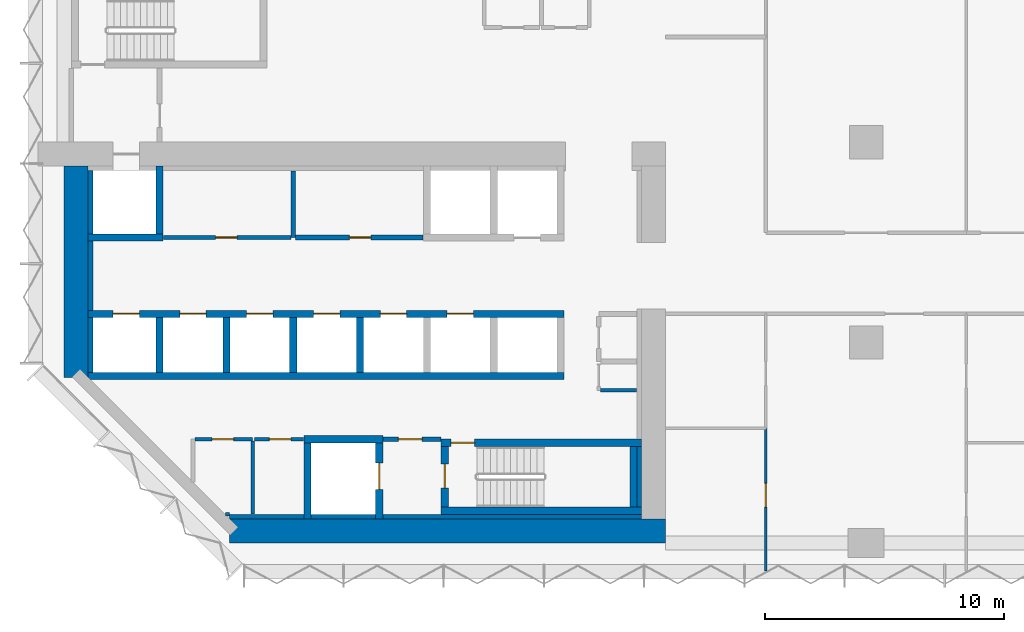
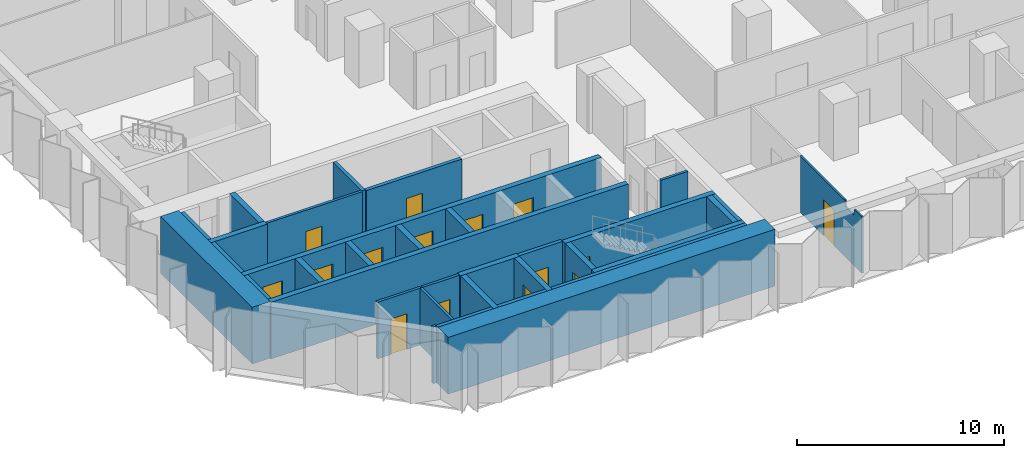
# One storey, part 7 of 15: 34 walls, 15 doors, 15 openings.
"""IFC4 building model written with IfcOpenShell, lengths in metres."""

from ifc_helpers import new_model, si_unit, direction, frame, frame_2d, origin, place, context, subcontext, project, spatial, polyline, rectangle, outline, extrude, material, layer, layer_set, type_object, element, fill, save


model = new_model("IFC4")

# Units and contexts
model_context = context("Model", 3, precision=1e-05, world=origin(), true_north=direction((0.0, 1.0)))
body_context = subcontext(model_context, "Body", "Model", "MODEL_VIEW")
ifc_project = project(units=[si_unit("LENGTHUNIT", "METRE"), si_unit("AREAUNIT", "SQUARE_METRE"), si_unit("VOLUMEUNIT", "CUBIC_METRE"), si_unit("PLANEANGLEUNIT", "RADIAN"), si_unit("MASSUNIT", "GRAM", prefix="KILO")], contexts=[model_context])

# Site, building, storey
site_placement = place(None, origin())
site = spatial("IfcSite", under=ifc_project, at=site_placement, CompositionType="ELEMENT")
building_placement = place(site_placement, origin())
building = spatial("IfcBuilding", under=site, at=building_placement, Name="Brevane Broadcast Tower", CompositionType="ELEMENT")
storey_placement = place(building_placement, frame((0.0, 0.0, 54.5)))
storey = spatial("IfcBuildingStorey", under=building, at=storey_placement, Name="L11", CompositionType="ELEMENT", Elevation=54.5)

# Walls
ifc_material_1 = material(Name="Concrete C32/40", Category="concrete")
ifc_layer_1 = layer(ifc_material_1, 0.199951171875)
ifc_layer_set_1 = layer_set([ifc_layer_1], Name="Core chase wall 200 mm")
wall_type_1 = type_object("IfcWallType", Name="Core chase wall 200 mm", PredefinedType="PARTITIONING", material=ifc_layer_set_1)
wall_1_placement = place(storey_placement, frame((1.10009765625, 7.14990234375, 0.0), z_axis=(0.0, 0.0, 1.0), x_axis=(0.0, 1.0, 0.0)))
element("IfcWall", 1, at=wall_1_placement, inside=storey, type_object=wall_type_1, Name="L11 chase wall LW-2-1", PredefinedType="PARTITIONING", context=body_context, shape_type="SweptSolid", body=[
    extrude(rectangle(XDim=2.300048828125, YDim=0.199951171875, at=frame_2d((1.14990234375, 0.0))), origin(), (0.0, 0.0, 1.0), 3.35009765625),
])
wall_2_placement = place(storey_placement, frame((1.10009765625, 9.75, 0.0), z_axis=(0.0, 0.0, 1.0), x_axis=(0.0, 1.0, 0.0)))
element("IfcWall", 2, at=wall_2_placement, inside=storey, type_object=wall_type_1, Name="L11 chase wall LW-2-2-1", PredefinedType="PARTITIONING", context=body_context, shape_type="SweptSolid", body=[
    extrude(rectangle(XDim=2.89990234375, YDim=0.199951171875, at=frame_2d((1.449951171875, 0.0))), origin(), (0.0, 0.0, 1.0), 3.35009765625),
])
wall_3_placement = place(storey_placement, frame((1.10009765625, 12.949951171875, 0.0), z_axis=(0.0, 0.0, 1.0), x_axis=(0.0, 1.0, 0.0)))
element("IfcWall", 3, at=wall_3_placement, inside=storey, type_object=wall_type_1, Name="L11 chase wall LW-2-2-2", PredefinedType="PARTITIONING", context=body_context, shape_type="SweptSolid", body=[
    extrude(rectangle(XDim=2.650146484375, YDim=0.199951171875, at=frame_2d((1.3251953125, 0.0))), origin(), (0.0, 0.0, 1.0), 3.35009765625),
])
wall_4_placement = place(storey_placement, frame((6.936279296875, 1.10009765625, 0.0), z_axis=(0.0, 0.0, 1.0), x_axis=(1.0, 0.0, 0.0)))
element("IfcWall", 4, at=wall_4_placement, inside=storey, type_object=wall_type_1, Name="L11 chase wall LS-1", PredefinedType="PARTITIONING", context=body_context, shape_type="SweptSolid", body=[
    extrude(rectangle(XDim=3.11376953125, YDim=0.199951171875, at=frame_2d((1.556884765625, 0.0))), origin(), (0.0, 0.0, 1.0), 3.35009765625),
])
wall_5_placement = place(storey_placement, frame((10.35009765625, 1.10009765625, 0.0), z_axis=(0.0, 0.0, 1.0), x_axis=(1.0, 0.0, 0.0)))
element("IfcWall", 5, at=wall_5_placement, inside=storey, type_object=wall_type_1, Name="L11 chase wall LS-2-1", PredefinedType="PARTITIONING", context=body_context, shape_type="SweptSolid", body=[
    extrude(rectangle(XDim=2.699951171875, YDim=0.199951171875, at=frame_2d((1.35009765625, 0.0))), origin(), (0.0, 0.0, 1.0), 3.35009765625),
])
wall_6_placement = place(storey_placement, frame((13.35009765625, 1.10009765625, 0.0), z_axis=(0.0, 0.0, 1.0), x_axis=(1.0, 0.0, 0.0)))
element("IfcWall", 6, at=wall_6_placement, inside=storey, type_object=wall_type_1, Name="L11 chase wall LS-2-2", PredefinedType="PARTITIONING", context=body_context, shape_type="SweptSolid", body=[
    extrude(rectangle(XDim=10.849853515625, YDim=0.199951171875, at=frame_2d((5.4248046875, 0.0))), origin(), (0.0, 0.0, 1.0), 3.35009765625),
])
wall_7_placement = place(storey_placement, frame((24.10009765625, 1.5, 0.0), z_axis=(0.0, 0.0, 1.0), x_axis=(0.0, 1.0, 0.0)))
element("IfcWall", 7, at=wall_7_placement, inside=storey, type_object=wall_type_1, Name="L11 chase wall LE1-2-1", PredefinedType="PARTITIONING", context=body_context, shape_type="SweptSolid", body=[
    extrude(rectangle(XDim=2.550048828125, YDim=0.199951171875, at=frame_2d((1.27490234375, 0.0))), origin(), (0.0, 0.0, 1.0), 3.35009765625),
])

# Wall, opening, door
ifc_material_2 = material(Name="Gypsum board on steel studs", Category="steel")
ifc_layer_2 = layer(ifc_material_2, 0.14990234375)
ifc_layer_set_2 = layer_set([ifc_layer_2], Name="Core fire partition 150 mm")
wall_type_2 = type_object("IfcWallType", Name="Core fire partition 150 mm", PredefinedType="PARTITIONING", material=ifc_layer_set_2)
wall_8_placement = place(storey_placement, frame((4.162109375, 12.800048828125, 0.0), z_axis=(0.0, 0.0, 1.0), x_axis=(1.0, 0.0, 0.0)))
wall_8 = element("IfcWall", 8, at=wall_8_placement, inside=storey, type_object=wall_type_2, Name="L11 partition wall P09", PredefinedType="PARTITIONING", context=body_context, shape_type="SweptSolid", body=[
    extrude(rectangle(XDim=5.337890625, YDim=0.14990234375, at=frame_2d((2.6689453125, 0.0))), origin(), (0.0, 0.0, 1.0), 3.35009765625),
])
opening_1_placement = place(wall_8_placement, frame((2.18798828125, 0.0, 0.0)))
opening_1 = element("IfcOpeningElement", 9, at=opening_1_placement, cuts=wall_8, Name="Opening L11-K21", PredefinedType="OPENING", context=body_context, shape_type="SweptSolid", body=[
    extrude(rectangle(XDim=0.89990234375, YDim=2.10009765625, at=frame_2d((0.449951171875, 1.050048828125))), frame((0.0, 0.0849609375, 0.0), z_axis=(0.0, -1.0, 0.0), x_axis=(1.0, 0.0, 0.0)), (0.0, 0.0, 1.0), 0.169921875),
])
ifc_material_3 = material(Name="Steel", Category="steel")
door_type_1 = type_object("IfcDoorType", Name="Service room door 900 x 2100", OperationType="SINGLE_SWING_LEFT", PredefinedType="DOOR", material=ifc_material_3)
door_1_placement = place(opening_1_placement, origin())
door_1 = element("IfcDoor", 10, at=door_1_placement, inside=storey, type_object=door_type_1, Name="Door L11-K21", OperationType="SINGLE_SWING_RIGHT", OverallHeight=2.10009765625, OverallWidth=0.89990234375, PredefinedType="DOOR", context=body_context, shape_type="SweptSolid", body=[
    extrude(rectangle(XDim=0.89990234375, YDim=2.10009765625, at=frame_2d((0.449951171875, 1.050048828125))), frame((0.0, 0.02490234375, 0.0), z_axis=(0.0, -1.0, 0.0), x_axis=(1.0, 0.0, 0.0)), (0.0, 0.0, 1.0), 0.050048828125),
])
fill(opening_1, door_1)

wall_9_placement = place(storey_placement, frame((5.47509765625, 4.35009765625, 0.0), z_axis=(0.0, 0.0, 1.0), x_axis=(1.0, 0.0, 0.0)))
wall_9 = element("IfcWall", 11, at=wall_9_placement, inside=storey, type_object=wall_type_2, Name="L11 partition wall P11", PredefinedType="PARTITIONING", context=body_context, shape_type="SweptSolid", body=[
    extrude(rectangle(XDim=2.4248046875, YDim=0.14990234375, at=frame_2d((1.21240234375, 0.0))), origin(), (0.0, 0.0, 1.0), 3.35009765625),
])
opening_2_placement = place(wall_9_placement, frame((0.72509765625, 0.0, 0.0)))
opening_2 = element("IfcOpeningElement", 12, at=opening_2_placement, cuts=wall_9, Name="Opening L11-K16", PredefinedType="OPENING", context=body_context, shape_type="SweptSolid", body=[
    extrude(rectangle(XDim=0.89990234375, YDim=2.10009765625, at=frame_2d((0.449951171875, 1.050048828125))), frame((0.0, 0.0849609375, 0.0), z_axis=(0.0, -1.0, 0.0), x_axis=(1.0, 0.0, 0.0)), (0.0, 0.0, 1.0), 0.169921875),
])
ifc_material_4 = material(Name="Timber", Category="wood")
door_type_2 = type_object("IfcDoorType", Name="Toilet door 900 x 2100", OperationType="SINGLE_SWING_LEFT", PredefinedType="DOOR", material=ifc_material_4)
door_2_placement = place(opening_2_placement, origin())
door_2 = element("IfcDoor", 13, at=door_2_placement, inside=storey, type_object=door_type_2, Name="Door L11-K16", OperationType="SINGLE_SWING_LEFT", OverallHeight=2.10009765625, OverallWidth=0.89990234375, PredefinedType="DOOR", context=body_context, shape_type="SweptSolid", body=[
    extrude(rectangle(XDim=0.89990234375, YDim=2.10009765625, at=frame_2d((0.449951171875, 1.050048828125))), frame((0.0, 0.02490234375, 0.0), z_axis=(0.0, -1.0, 0.0), x_axis=(1.0, 0.0, 0.0)), (0.0, 0.0, 1.0), 0.050048828125),
])
fill(opening_2, door_2)

# Walls
wall_10_placement = place(storey_placement, frame((7.89990234375, 4.27490234375, 0.0), z_axis=(0.0, 0.0, 1.0), x_axis=(0.0, -1.0, 0.0)))
element("IfcWall", 14, at=wall_10_placement, inside=storey, type_object=wall_type_2, Name="L11 partition wall P12", PredefinedType="PARTITIONING", context=body_context, shape_type="SweptSolid", body=[
    extrude(rectangle(XDim=3.06298828125, YDim=0.14990234375, at=frame_2d((1.531494140625, 0.0))), origin(), (0.0, 0.0, 1.0), 3.35009765625),
])
wall_11_placement = place(storey_placement, frame((6.92431640625, 1.199951171875, 0.0), z_axis=(0.0, 0.0, 1.0), x_axis=(-1.0, 0.0, 0.0)))
element("IfcWall", 15, at=wall_11_placement, inside=storey, type_object=wall_type_2, Name="L11 partition wall P13", PredefinedType="PARTITIONING", context=body_context, shape_type="SweptSolid", body=[
    extrude(rectangle(XDim=0.1708984375, YDim=0.14990234375, at=frame_2d((0.08544921875, 0.0))), origin(), (0.0, 0.0, 1.0), 3.35009765625),
])

# Wall, opening, door
wall_12_placement = place(storey_placement, frame((10.0380859375, 4.35009765625, 0.0), z_axis=(0.0, 0.0, 1.0), x_axis=(-1.0, 0.0, 0.0)))
wall_12 = element("IfcWall", 16, at=wall_12_placement, inside=storey, type_object=wall_type_2, Name="L11 partition wall P14", PredefinedType="PARTITIONING", context=body_context, shape_type="SweptSolid", body=[
    extrude(rectangle(XDim=2.06298828125, YDim=0.14990234375, at=frame_2d((1.031494140625, 0.0))), origin(), (0.0, 0.0, 1.0), 3.35009765625),
])
opening_3_placement = place(wall_12_placement, frame((0.5380859375, 0.0, 0.0)))
opening_3 = element("IfcOpeningElement", 17, at=opening_3_placement, cuts=wall_12, Name="Opening L11-K17", PredefinedType="OPENING", context=body_context, shape_type="SweptSolid", body=[
    extrude(rectangle(XDim=0.89990234375, YDim=2.10009765625, at=frame_2d((0.449951171875, 1.050048828125))), frame((0.0, 0.0849609375, 0.0), z_axis=(0.0, -1.0, 0.0), x_axis=(1.0, 0.0, 0.0)), (0.0, 0.0, 1.0), 0.169921875),
])
door_3_placement = place(opening_3_placement, origin())
door_3 = element("IfcDoor", 18, at=door_3_placement, inside=storey, type_object=door_type_2, Name="Door L11-K17", OperationType="SINGLE_SWING_RIGHT", OverallHeight=2.10009765625, OverallWidth=0.89990234375, PredefinedType="DOOR", context=body_context, shape_type="SweptSolid", body=[
    extrude(rectangle(XDim=0.89990234375, YDim=2.10009765625, at=frame_2d((0.449951171875, 1.050048828125))), frame((0.0, 0.02490234375, 0.0), z_axis=(0.0, -1.0, 0.0), x_axis=(1.0, 0.0, 0.0)), (0.0, 0.0, 1.0), 0.050048828125),
])
fill(opening_3, door_3)

# Wall
wall_13_placement = place(storey_placement, frame((22.47509765625, 6.39990234375, 0.0), z_axis=(0.0, 0.0, 1.0), x_axis=(1.0, 0.0, 0.0)))
element("IfcWall", 19, at=wall_13_placement, inside=storey, type_object=wall_type_2, Name="L11 partition wall P23", PredefinedType="PARTITIONING", context=body_context, shape_type="SweptSolid", body=[
    extrude(rectangle(XDim=1.512939453125, YDim=0.14990234375, at=frame_2d((0.75634765625, 0.0))), origin(), (0.0, 0.0, 1.0), 3.35009765625),
])

# Wall, opening, door
ifc_layer_3 = layer(ifc_material_2, 0.199951171875)
ifc_layer_set_3 = layer_set([ifc_layer_3], Name="Core fire partition 200 mm")
wall_type_3 = type_object("IfcWallType", Name="Core fire partition 200 mm", PredefinedType="PARTITIONING", material=ifc_layer_set_3)
wall_14_placement = place(storey_placement, frame((13.362060546875, 4.35009765625, 0.0), z_axis=(0.0, 0.0, 1.0), x_axis=(1.0, 0.0, 0.0)))
wall_14 = element("IfcWall", 20, at=wall_14_placement, inside=storey, type_object=wall_type_3, Name="L11 partition wall P03", PredefinedType="PARTITIONING", context=body_context, shape_type="SweptSolid", body=[
    extrude(rectangle(XDim=2.426025390625, YDim=0.199951171875, at=frame_2d((1.212890625, 0.0))), origin(), (0.0, 0.0, 1.0), 3.35009765625),
])
opening_4_placement = place(wall_14_placement, frame((0.637939453125, 0.0, 0.0)))
opening_4 = element("IfcOpeningElement", 21, at=opening_4_placement, cuts=wall_14, Name="Opening L11-K18", PredefinedType="OPENING", context=body_context, shape_type="SweptSolid", body=[
    extrude(rectangle(XDim=1.0, YDim=2.10009765625, at=frame_2d((0.5, 1.050048828125))), frame((0.0, 0.10986328125, 0.0), z_axis=(0.0, -1.0, 0.0), x_axis=(1.0, 0.0, 0.0)), (0.0, 0.0, 1.0), 0.219970703125),
])
door_type_3 = type_object("IfcDoorType", Name="Stair door 1000 x 2100", OperationType="SINGLE_SWING_LEFT", PredefinedType="DOOR", material=ifc_material_3)
door_4_placement = place(opening_4_placement, origin())
door_4 = element("IfcDoor", 22, at=door_4_placement, inside=storey, type_object=door_type_3, Name="Door L11-K18", OperationType="SINGLE_SWING_LEFT", OverallHeight=2.10009765625, OverallWidth=1.0, PredefinedType="DOOR", context=body_context, shape_type="SweptSolid", body=[
    extrude(rectangle(XDim=1.0, YDim=2.10009765625, at=frame_2d((0.5, 1.050048828125))), frame((0.0, 0.02490234375, 0.0), z_axis=(0.0, -1.0, 0.0), x_axis=(1.0, 0.0, 0.0)), (0.0, 0.0, 1.0), 0.050048828125),
])
fill(opening_4, door_4)

# Wall
wall_15_placement = place(storey_placement, frame((9.60009765625, 15.587890625, 0.0), z_axis=(0.0, 0.0, 1.0), x_axis=(0.0, -1.0, 0.0)))
element("IfcWall", 23, at=wall_15_placement, inside=storey, type_object=wall_type_3, Name="L11 partition wall P04", PredefinedType="PARTITIONING", context=body_context, shape_type="SweptSolid", body=[
    extrude(rectangle(XDim=2.787841796875, YDim=0.199951171875, at=frame_2d((1.39404296875, 0.0))), origin(), (0.0, 0.0, 1.0), 3.35009765625),
])

# Wall, opening, door
wall_16_placement = place(storey_placement, frame((9.699951171875, 12.800048828125, 0.0), z_axis=(0.0, 0.0, 1.0), x_axis=(1.0, 0.0, 0.0)))
wall_16 = element("IfcWall", 24, at=wall_16_placement, inside=storey, type_object=wall_type_3, Name="L11 partition wall P05", PredefinedType="PARTITIONING", context=body_context, shape_type="SweptSolid", body=[
    extrude(rectangle(XDim=5.338134765625, YDim=0.199951171875, at=frame_2d((2.6689453125, 0.0))), origin(), (0.0, 0.0, 1.0), 3.35009765625),
])
opening_5_placement = place(wall_16_placement, frame((2.25, 0.0, 0.0)))
opening_5 = element("IfcOpeningElement", 25, at=opening_5_placement, cuts=wall_16, Name="Opening L11-K22", PredefinedType="OPENING", context=body_context, shape_type="SweptSolid", body=[
    extrude(rectangle(XDim=0.89990234375, YDim=2.10009765625, at=frame_2d((0.449951171875, 1.050048828125))), frame((0.0, 0.10986328125, 0.0), z_axis=(0.0, -1.0, 0.0), x_axis=(1.0, 0.0, 0.0)), (0.0, 0.0, 1.0), 0.219970703125),
])
door_5_placement = place(opening_5_placement, origin())
door_5 = element("IfcDoor", 26, at=door_5_placement, inside=storey, type_object=door_type_1, Name="Door L11-K22", OperationType="SINGLE_SWING_LEFT", OverallHeight=2.10009765625, OverallWidth=0.89990234375, PredefinedType="DOOR", context=body_context, shape_type="SweptSolid", body=[
    extrude(rectangle(XDim=0.89990234375, YDim=2.10009765625, at=frame_2d((0.449951171875, 1.050048828125))), frame((0.0, 0.02490234375, 0.0), z_axis=(0.0, -1.0, 0.0), x_axis=(1.0, 0.0, 0.0)), (0.0, 0.0, 1.0), 0.050048828125),
])
fill(opening_5, door_5)

# Walls
ifc_material_5 = material(Name="Concrete C80/95", Category="concrete")
ifc_layer_4 = layer(ifc_material_5, 1.0)
ifc_layer_set_4 = layer_set([ifc_layer_4], Name="Core wall 1000 mm C80/95")
wall_type_4 = type_object("IfcWallType", Name="Core wall 1000 mm C80/95", PredefinedType="SHEAR", material=ifc_layer_set_4)
wall_17_placement = place(storey_placement, frame((6.936279296875, 0.5, 0.0), z_axis=(0.0, 0.0, 1.0), x_axis=(1.0, 0.0, 0.0)))
element("IfcWall", 27, at=wall_17_placement, inside=storey, type_object=wall_type_4, Name="L11 outer wall WS", PredefinedType="SHEAR", context=body_context, shape_type="SweptSolid", body=[
    extrude(rectangle(XDim=18.263671875, YDim=1.0, at=frame_2d((9.1318359375, 0.0))), origin(), (0.0, 0.0, 1.0), 3.35009765625),
])
wall_18_placement = place(storey_placement, frame((0.5, 6.936279296875, 0.0), z_axis=(0.0, 0.0, 1.0), x_axis=(0.0, 1.0, 0.0)))
element("IfcWall", 28, at=wall_18_placement, inside=storey, type_object=wall_type_4, Name="L11 outer wall WW", PredefinedType="SHEAR", context=body_context, shape_type="SweptSolid", body=[
    extrude(rectangle(XDim=8.86376953125, YDim=1.0, at=frame_2d((4.431884765625, 0.0))), origin(), (0.0, 0.0, 1.0), 3.35009765625),
])
ifc_layer_5 = layer(ifc_material_5, 0.300048828125)
ifc_layer_set_5 = layer_set([ifc_layer_5], Name="Core wall 300 mm C80/95")
wall_type_5 = type_object("IfcWallType", Name="Core wall 300 mm C80/95", PredefinedType="SHEAR", material=ifc_layer_set_5)
wall_19_placement = place(storey_placement, frame((1.0, 7.0, 0.0), z_axis=(0.0, 0.0, 1.0), x_axis=(1.0, 0.0, 0.0)))
element("IfcWall", 29, at=wall_19_placement, inside=storey, type_object=wall_type_5, Name="L11 shaft wall SH-S012-back", PredefinedType="SHEAR", context=body_context, shape_type="SweptSolid", body=[
    extrude(rectangle(XDim=19.949951171875, YDim=0.300048828125, at=frame_2d((9.97509765625, 0.0))), origin(), (0.0, 0.0, 1.0), 3.35009765625),
])

# Wall, openings, doors
wall_20_placement = place(storey_placement, frame((1.0, 9.60009765625, 0.0), z_axis=(0.0, 0.0, 1.0), x_axis=(1.0, 0.0, 0.0)))
wall_20 = element("IfcWall", 30, at=wall_20_placement, inside=storey, type_object=wall_type_5, Name="L11 shaft wall SH-S012-front", PredefinedType="SHEAR", context=body_context, shape_type="SweptSolid", body=[
    extrude(rectangle(XDim=19.949951171875, YDim=0.300048828125, at=frame_2d((9.97509765625, 0.0))), origin(), (0.0, 0.0, 1.0), 3.35009765625),
])
opening_6_placement = place(wall_20_placement, frame((1.050048828125, 0.0, 0.0)))
opening_6 = element("IfcOpeningElement", 31, at=opening_6_placement, cuts=wall_20, Name="Opening LD", PredefinedType="OPENING", context=body_context, shape_type="SweptSolid", body=[
    extrude(rectangle(XDim=1.10009765625, YDim=2.300048828125, at=frame_2d((0.550048828125, 1.14990234375))), frame((0.0, 0.159912109375, 0.0), z_axis=(0.0, -1.0, 0.0), x_axis=(1.0, 0.0, 0.0)), (0.0, 0.0, 1.0), 0.320068359375),
])
opening_7_placement = place(wall_20_placement, frame((3.85009765625, 0.0, 0.0)))
opening_7 = element("IfcOpeningElement", 32, at=opening_7_placement, cuts=wall_20, Name="Opening LD", PredefinedType="OPENING", context=body_context, shape_type="SweptSolid", body=[
    extrude(rectangle(XDim=1.10009765625, YDim=2.300048828125, at=frame_2d((0.550048828125, 1.14990234375))), frame((0.0, 0.159912109375, 0.0), z_axis=(0.0, -1.0, 0.0), x_axis=(1.0, 0.0, 0.0)), (0.0, 0.0, 1.0), 0.320068359375),
])
opening_8_placement = place(wall_20_placement, frame((6.64990234375, 0.0, 0.0)))
opening_8 = element("IfcOpeningElement", 33, at=opening_8_placement, cuts=wall_20, Name="Opening LD", PredefinedType="OPENING", context=body_context, shape_type="SweptSolid", body=[
    extrude(rectangle(XDim=1.10009765625, YDim=2.300048828125, at=frame_2d((0.550048828125, 1.14990234375))), frame((0.0, 0.159912109375, 0.0), z_axis=(0.0, -1.0, 0.0), x_axis=(1.0, 0.0, 0.0)), (0.0, 0.0, 1.0), 0.320068359375),
])
opening_9_placement = place(wall_20_placement, frame((9.449951171875, 0.0, 0.0)))
opening_9 = element("IfcOpeningElement", 34, at=opening_9_placement, cuts=wall_20, Name="Opening LD", PredefinedType="OPENING", context=body_context, shape_type="SweptSolid", body=[
    extrude(rectangle(XDim=1.10009765625, YDim=2.300048828125, at=frame_2d((0.550048828125, 1.14990234375))), frame((0.0, 0.159912109375, 0.0), z_axis=(0.0, -1.0, 0.0), x_axis=(1.0, 0.0, 0.0)), (0.0, 0.0, 1.0), 0.320068359375),
])
opening_10_placement = place(wall_20_placement, frame((12.25, 0.0, 0.0)))
opening_10 = element("IfcOpeningElement", 35, at=opening_10_placement, cuts=wall_20, Name="Opening LD", PredefinedType="OPENING", context=body_context, shape_type="SweptSolid", body=[
    extrude(rectangle(XDim=1.10009765625, YDim=2.300048828125, at=frame_2d((0.550048828125, 1.14990234375))), frame((0.0, 0.159912109375, 0.0), z_axis=(0.0, -1.0, 0.0), x_axis=(1.0, 0.0, 0.0)), (0.0, 0.0, 1.0), 0.320068359375),
])
opening_11_placement = place(wall_20_placement, frame((15.050048828125, 0.0, 0.0)))
opening_11 = element("IfcOpeningElement", 36, at=opening_11_placement, cuts=wall_20, Name="Opening LD", PredefinedType="OPENING", context=body_context, shape_type="SweptSolid", body=[
    extrude(rectangle(XDim=1.10009765625, YDim=2.300048828125, at=frame_2d((0.550048828125, 1.14990234375))), frame((0.0, 0.159912109375, 0.0), z_axis=(0.0, -1.0, 0.0), x_axis=(1.0, 0.0, 0.0)), (0.0, 0.0, 1.0), 0.320068359375),
])
ifc_material_6 = material(Name="Stainless steel", Category="steel")
door_type_4 = type_object("IfcDoorType", Name="Lift landing door", OperationType="SLIDING_TO_LEFT", PredefinedType="DOOR", material=ifc_material_6)
door_6_placement = place(opening_6_placement, origin())
door_6 = element("IfcDoor", 37, at=door_6_placement, inside=storey, type_object=door_type_4, Name="Landing door LR1 L11", OperationType="SLIDING_TO_LEFT", OverallHeight=2.300048828125, OverallWidth=1.10009765625, PredefinedType="DOOR", context=body_context, shape_type="SweptSolid", body=[
    extrude(rectangle(XDim=1.10009765625, YDim=2.300048828125, at=frame_2d((0.550048828125, 1.14990234375))), frame((0.0, 0.02490234375, 0.0), z_axis=(0.0, -1.0, 0.0), x_axis=(1.0, 0.0, 0.0)), (0.0, 0.0, 1.0), 0.050048828125),
])
fill(opening_6, door_6)
door_7_placement = place(opening_7_placement, origin())
door_7 = element("IfcDoor", 38, at=door_7_placement, inside=storey, type_object=door_type_4, Name="Landing door LR2 L11", OperationType="SLIDING_TO_LEFT", OverallHeight=2.300048828125, OverallWidth=1.10009765625, PredefinedType="DOOR", context=body_context, shape_type="SweptSolid", body=[
    extrude(rectangle(XDim=1.10009765625, YDim=2.300048828125, at=frame_2d((0.550048828125, 1.14990234375))), frame((0.0, 0.02490234375, 0.0), z_axis=(0.0, -1.0, 0.0), x_axis=(1.0, 0.0, 0.0)), (0.0, 0.0, 1.0), 0.050048828125),
])
fill(opening_7, door_7)
door_8_placement = place(opening_8_placement, origin())
door_8 = element("IfcDoor", 39, at=door_8_placement, inside=storey, type_object=door_type_4, Name="Landing door LR3 L11", OperationType="SLIDING_TO_LEFT", OverallHeight=2.300048828125, OverallWidth=1.10009765625, PredefinedType="DOOR", context=body_context, shape_type="SweptSolid", body=[
    extrude(rectangle(XDim=1.10009765625, YDim=2.300048828125, at=frame_2d((0.550048828125, 1.14990234375))), frame((0.0, 0.02490234375, 0.0), z_axis=(0.0, -1.0, 0.0), x_axis=(1.0, 0.0, 0.0)), (0.0, 0.0, 1.0), 0.050048828125),
])
fill(opening_8, door_8)
door_9_placement = place(opening_9_placement, origin())
door_9 = element("IfcDoor", 40, at=door_9_placement, inside=storey, type_object=door_type_4, Name="Landing door LR4 L11", OperationType="SLIDING_TO_LEFT", OverallHeight=2.300048828125, OverallWidth=1.10009765625, PredefinedType="DOOR", context=body_context, shape_type="SweptSolid", body=[
    extrude(rectangle(XDim=1.10009765625, YDim=2.300048828125, at=frame_2d((0.550048828125, 1.14990234375))), frame((0.0, 0.02490234375, 0.0), z_axis=(0.0, -1.0, 0.0), x_axis=(1.0, 0.0, 0.0)), (0.0, 0.0, 1.0), 0.050048828125),
])
fill(opening_9, door_9)
door_10_placement = place(opening_10_placement, origin())
door_10 = element("IfcDoor", 41, at=door_10_placement, inside=storey, type_object=door_type_4, Name="Landing door LR5 L11", OperationType="SLIDING_TO_LEFT", OverallHeight=2.300048828125, OverallWidth=1.10009765625, PredefinedType="DOOR", context=body_context, shape_type="SweptSolid", body=[
    extrude(rectangle(XDim=1.10009765625, YDim=2.300048828125, at=frame_2d((0.550048828125, 1.14990234375))), frame((0.0, 0.02490234375, 0.0), z_axis=(0.0, -1.0, 0.0), x_axis=(1.0, 0.0, 0.0)), (0.0, 0.0, 1.0), 0.050048828125),
])
fill(opening_10, door_10)
door_11_placement = place(opening_11_placement, origin())
door_11 = element("IfcDoor", 42, at=door_11_placement, inside=storey, type_object=door_type_4, Name="Landing door LR6 L11", OperationType="SLIDING_TO_LEFT", OverallHeight=2.300048828125, OverallWidth=1.10009765625, PredefinedType="DOOR", context=body_context, shape_type="SweptSolid", body=[
    extrude(rectangle(XDim=1.10009765625, YDim=2.300048828125, at=frame_2d((0.550048828125, 1.14990234375))), frame((0.0, 0.02490234375, 0.0), z_axis=(0.0, -1.0, 0.0), x_axis=(1.0, 0.0, 0.0)), (0.0, 0.0, 1.0), 0.050048828125),
])
fill(opening_11, door_11)

# Walls
for number, where, z_axis, x_axis, name in (
    (43, (4.0, 7.14990234375, 0.0), (0.0, 0.0, 1.0), (0.0, 1.0, 0.0), "L11 shaft wall SH-S-P040"),
    (44, (6.800048828125, 7.14990234375, 0.0), (0.0, 0.0, 1.0), (0.0, 1.0, 0.0), "L11 shaft wall SH-S-P068"),
    (45, (9.60009765625, 7.14990234375, 0.0), (0.0, 0.0, 1.0), (0.0, 1.0, 0.0), "L11 shaft wall SH-S-P096"),
    (46, (12.39990234375, 7.14990234375, 0.0), (0.0, 0.0, 1.0), (0.0, 1.0, 0.0), "L11 shaft wall SH-S-P124"),
):
    element("IfcWall", number, at=place(storey_placement, frame(where, z_axis=z_axis, x_axis=x_axis)), inside=storey, type_object=wall_type_5, Name=name, PredefinedType="SHEAR", context=body_context, shape_type="SweptSolid", body=[
        extrude(rectangle(XDim=2.300048828125, YDim=0.300048828125, at=frame_2d((1.14990234375, 0.0))), origin(), (0.0, 0.0, 1.0), 3.35009765625),
    ])
wall_21_placement = place(storey_placement, frame((1.0, 12.800048828125, 0.0), z_axis=(0.0, 0.0, 1.0), x_axis=(1.0, 0.0, 0.0)))
element("IfcWall", 47, at=wall_21_placement, inside=storey, type_object=wall_type_5, Name="L11 shaft wall SH-N012-front", PredefinedType="SHEAR", context=body_context, shape_type="SweptSolid", body=[
    extrude(rectangle(XDim=3.14990234375, YDim=0.300048828125, at=frame_2d((1.574951171875, 0.0))), origin(), (0.0, 0.0, 1.0), 3.35009765625),
])
wall_22_placement = place(storey_placement, frame((4.0, 12.949951171875, 0.0), z_axis=(0.0, 0.0, 1.0), x_axis=(0.0, 1.0, 0.0)))
element("IfcWall", 48, at=wall_22_placement, inside=storey, type_object=wall_type_5, Name="L11 shaft wall SH-N-P040", PredefinedType="SHEAR", context=body_context, shape_type="SweptSolid", body=[
    extrude(rectangle(XDim=2.85009765625, YDim=0.300048828125, at=frame_2d((1.425048828125, 0.0))), origin(), (0.0, 0.0, 1.0), 3.35009765625),
])
wall_23_placement = place(storey_placement, frame((10.199951171875, 1.0, 0.0), z_axis=(0.0, 0.0, 1.0), x_axis=(0.0, 1.0, 0.0)))
element("IfcWall", 49, at=wall_23_placement, inside=storey, type_object=wall_type_5, Name="L11 shaft wall FF2-W", PredefinedType="SHEAR", context=body_context, shape_type="SweptSolid", body=[
    extrude(rectangle(XDim=3.199951171875, YDim=0.300048828125, at=frame_2d((1.60009765625, 0.0))), origin(), (0.0, 0.0, 1.0), 3.35009765625),
])

# Wall, opening, door
wall_24_placement = place(storey_placement, frame((13.199951171875, 1.0, 0.0), z_axis=(0.0, 0.0, 1.0), x_axis=(0.0, 1.0, 0.0)))
wall_24 = element("IfcWall", 50, at=wall_24_placement, inside=storey, type_object=wall_type_5, Name="L11 shaft wall FF2-E", PredefinedType="SHEAR", context=body_context, shape_type="SweptSolid", body=[
    extrude(rectangle(XDim=3.199951171875, YDim=0.300048828125, at=frame_2d((1.60009765625, 0.0))), origin(), (0.0, 0.0, 1.0), 3.35009765625),
])
opening_12_placement = place(wall_24_placement, frame((1.25, 0.0, 0.0)))
opening_12 = element("IfcOpeningElement", 51, at=opening_12_placement, cuts=wall_24, Name="Opening LD", PredefinedType="OPENING", context=body_context, shape_type="SweptSolid", body=[
    extrude(rectangle(XDim=1.10009765625, YDim=2.300048828125, at=frame_2d((0.550048828125, 1.14990234375))), frame((0.0, 0.159912109375, 0.0), z_axis=(0.0, -1.0, 0.0), x_axis=(1.0, 0.0, 0.0)), (0.0, 0.0, 1.0), 0.320068359375),
])
door_12_placement = place(opening_12_placement, origin())
door_12 = element("IfcDoor", 52, at=door_12_placement, inside=storey, type_object=door_type_4, Name="Landing door FF2 L11", OperationType="SLIDING_TO_LEFT", OverallHeight=2.300048828125, OverallWidth=1.10009765625, PredefinedType="DOOR", context=body_context, shape_type="SweptSolid", body=[
    extrude(rectangle(XDim=1.10009765625, YDim=2.300048828125, at=frame_2d((0.550048828125, 1.14990234375))), frame((0.0, 0.02490234375, 0.0), z_axis=(0.0, -1.0, 0.0), x_axis=(1.0, 0.0, 0.0)), (0.0, 0.0, 1.0), 0.050048828125),
])
fill(opening_12, door_12)

# Walls
wall_25_placement = place(storey_placement, frame((10.050048828125, 4.35009765625, 0.0), z_axis=(0.0, 0.0, 1.0), x_axis=(1.0, 0.0, 0.0)))
element("IfcWall", 53, at=wall_25_placement, inside=storey, type_object=wall_type_5, Name="L11 shaft wall FF2-N", PredefinedType="SHEAR", context=body_context, shape_type="SweptSolid", body=[
    extrude(rectangle(XDim=3.300048828125, YDim=0.300048828125, at=frame_2d((1.64990234375, 0.0))), origin(), (0.0, 0.0, 1.0), 3.35009765625),
])
wall_26_placement = place(storey_placement, frame((15.800048828125, 1.35009765625, 0.0), z_axis=(0.0, 0.0, 1.0), x_axis=(1.0, 0.0, 0.0)))
element("IfcWall", 54, at=wall_26_placement, inside=storey, type_object=wall_type_5, Name="L11 stair wall ST-2-S", PredefinedType="SHEAR", context=body_context, shape_type="SweptSolid", body=[
    extrude(rectangle(XDim=8.39990234375, YDim=0.300048828125, at=frame_2d((4.199951171875, 0.0))), origin(), (0.0, 0.0, 1.0), 3.35009765625),
])

# Wall, opening, door
wall_27_placement = place(storey_placement, frame((15.800048828125, 4.199951171875, 0.0), z_axis=(0.0, 0.0, 1.0), x_axis=(1.0, 0.0, 0.0)))
wall_27 = element("IfcWall", 55, at=wall_27_placement, inside=storey, type_object=wall_type_5, Name="L11 stair wall ST-2-N", PredefinedType="SHEAR", context=body_context, shape_type="SweptSolid", body=[
    extrude(rectangle(XDim=8.39990234375, YDim=0.300048828125, at=frame_2d((4.199951171875, 0.0))), origin(), (0.0, 0.0, 1.0), 3.35009765625),
])
opening_13_placement = place(wall_27_placement, frame((0.39990234375, 0.0, 0.0)))
opening_13 = element("IfcOpeningElement", 56, at=opening_13_placement, cuts=wall_27, Name="Opening L11-K13", PredefinedType="OPENING", context=body_context, shape_type="SweptSolid", body=[
    extrude(rectangle(XDim=1.0, YDim=2.10009765625, at=frame_2d((0.5, 1.050048828125))), frame((0.0, 0.159912109375, 0.0), z_axis=(0.0, -1.0, 0.0), x_axis=(1.0, 0.0, 0.0)), (0.0, 0.0, 1.0), 0.320068359375),
])
door_13_placement = place(opening_13_placement, origin())
door_13 = element("IfcDoor", 57, at=door_13_placement, inside=storey, type_object=door_type_3, Name="Door L11-K13", OperationType="SINGLE_SWING_RIGHT", OverallHeight=2.10009765625, OverallWidth=1.0, PredefinedType="DOOR", context=body_context, shape_type="SweptSolid", body=[
    extrude(rectangle(XDim=1.0, YDim=2.10009765625, at=frame_2d((0.5, 1.050048828125))), frame((0.0, 0.02490234375, 0.0), z_axis=(0.0, -1.0, 0.0), x_axis=(1.0, 0.0, 0.0)), (0.0, 0.0, 1.0), 0.050048828125),
])
fill(opening_13, door_13)

wall_28_placement = place(storey_placement, frame((15.949951171875, 1.5, 0.0), z_axis=(0.0, 0.0, 1.0), x_axis=(0.0, 1.0, 0.0)))
wall_28 = element("IfcWall", 58, at=wall_28_placement, inside=storey, type_object=wall_type_5, Name="L11 stair wall ST-2-W", PredefinedType="SHEAR", context=body_context, shape_type="SweptSolid", body=[
    extrude(rectangle(XDim=2.550048828125, YDim=0.300048828125, at=frame_2d((1.27490234375, 0.0))), origin(), (0.0, 0.0, 1.0), 3.35009765625),
])
opening_14_placement = place(wall_28_placement, frame((0.800048828125, 0.0, 0.0)))
opening_14 = element("IfcOpeningElement", 59, at=opening_14_placement, cuts=wall_28, Name="Opening L11-K12", PredefinedType="OPENING", context=body_context, shape_type="SweptSolid", body=[
    extrude(rectangle(XDim=1.0, YDim=2.10009765625, at=frame_2d((0.5, 1.050048828125))), frame((0.0, 0.159912109375, 0.0), z_axis=(0.0, -1.0, 0.0), x_axis=(1.0, 0.0, 0.0)), (0.0, 0.0, 1.0), 0.320068359375),
])
door_14_placement = place(opening_14_placement, origin())
door_14 = element("IfcDoor", 60, at=door_14_placement, inside=storey, type_object=door_type_3, Name="Door L11-K12", OperationType="SINGLE_SWING_LEFT", OverallHeight=2.10009765625, OverallWidth=1.0, PredefinedType="DOOR", context=body_context, shape_type="SweptSolid", body=[
    extrude(rectangle(XDim=1.0, YDim=2.10009765625, at=frame_2d((0.5, 1.050048828125))), frame((0.0, 0.02490234375, 0.0), z_axis=(0.0, -1.0, 0.0), x_axis=(1.0, 0.0, 0.0)), (0.0, 0.0, 1.0), 0.050048828125),
])
fill(opening_14, door_14)

# Wall
wall_29_placement = place(storey_placement, frame((23.85009765625, 1.5, 0.0), z_axis=(0.0, 0.0, 1.0), x_axis=(0.0, 1.0, 0.0)))
element("IfcWall", 61, at=wall_29_placement, inside=storey, type_object=wall_type_5, Name="L11 stair wall ST-2-E", PredefinedType="SHEAR", context=body_context, shape_type="SweptSolid", body=[
    extrude(rectangle(XDim=2.550048828125, YDim=0.300048828125, at=frame_2d((1.27490234375, 0.0))), origin(), (0.0, 0.0, 1.0), 3.35009765625),
])

# Wall, opening, door
ifc_material_7 = material(Name="Gypsum board partition")
ifc_layer_6 = layer(ifc_material_7, 0.10009765625)
ifc_layer_set_6 = layer_set([ifc_layer_6], Name="PARTITION 100 STUD")
wall_type_6 = type_object("IfcWallType", Name="PARTITION 100 STUD", PredefinedType="PARTITIONING", material=ifc_layer_set_6)
wall_30_placement = place(storey_placement, frame((29.39990234375, -1.174072265625, 0.0), z_axis=(0.0, 0.0, 1.0), x_axis=(0.0, 1.0, 0.0)))
wall_30 = element("IfcWall", 62, at=wall_30_placement, inside=storey, type_object=wall_type_6, Name="Partition G02-019", PredefinedType="PARTITIONING", context=body_context, shape_type="SweptSolid", body=[
    extrude(outline(polyline([(0.0, 0.0), (5.97412109375, 0.0), (5.97412109375, 3.330078125), (1.6240234375, 3.330078125), (1.6220703125, 2.97998046875), (0.72607421875, 2.97998046875), (0.72412109375, 3.330078125), (0.073974609375, 3.330078125), (0.0, 3.330078125), (0.0, 0.0)])), frame((0.0, 0.050048828125, 0.0), z_axis=(0.0, -1.0, 0.0), x_axis=(1.0, 0.0, 0.0)), (0.0, 0.0, 1.0), 0.10009765625),
])
opening_15_placement = place(wall_30_placement, frame((2.674072265625, 0.0, 0.0)))
opening_15 = element("IfcOpeningElement", 63, at=opening_15_placement, cuts=wall_30, Name="Opening D08-005", PredefinedType="OPENING", context=body_context, shape_type="SweptSolid", body=[
    extrude(rectangle(XDim=1.0, YDim=2.10009765625, at=frame_2d((0.5, 1.050048828125))), frame((0.0, 0.06005859375, 0.0), z_axis=(0.0, -1.0, 0.0), x_axis=(1.0, 0.0, 0.0)), (0.0, 0.0, 1.0), 0.1201171875),
])
ifc_material_8 = material(Name="Timber door leaf", Category="wood")
door_type_5 = type_object("IfcDoorType", Name="DOOR SINGLE 1000 INTERNAL", OperationType="SINGLE_SWING_LEFT", PredefinedType="DOOR", material=ifc_material_8)
door_15_placement = place(opening_15_placement, origin())
door_15 = element("IfcDoor", 64, at=door_15_placement, inside=storey, type_object=door_type_5, Name="Door D08-005", OperationType="SINGLE_SWING_LEFT", OverallHeight=2.10009765625, OverallWidth=1.0, PredefinedType="DOOR", context=body_context, shape_type="SweptSolid", body=[
    extrude(rectangle(XDim=1.0, YDim=2.10009765625, at=frame_2d((0.5, 1.050048828125))), frame((0.0, 0.02490234375, 0.0), z_axis=(0.0, -1.0, 0.0), x_axis=(1.0, 0.0, 0.0)), (0.0, 0.0, 1.0), 0.050048828125),
])
fill(opening_15, door_15)

save(model, "model.ifc")
